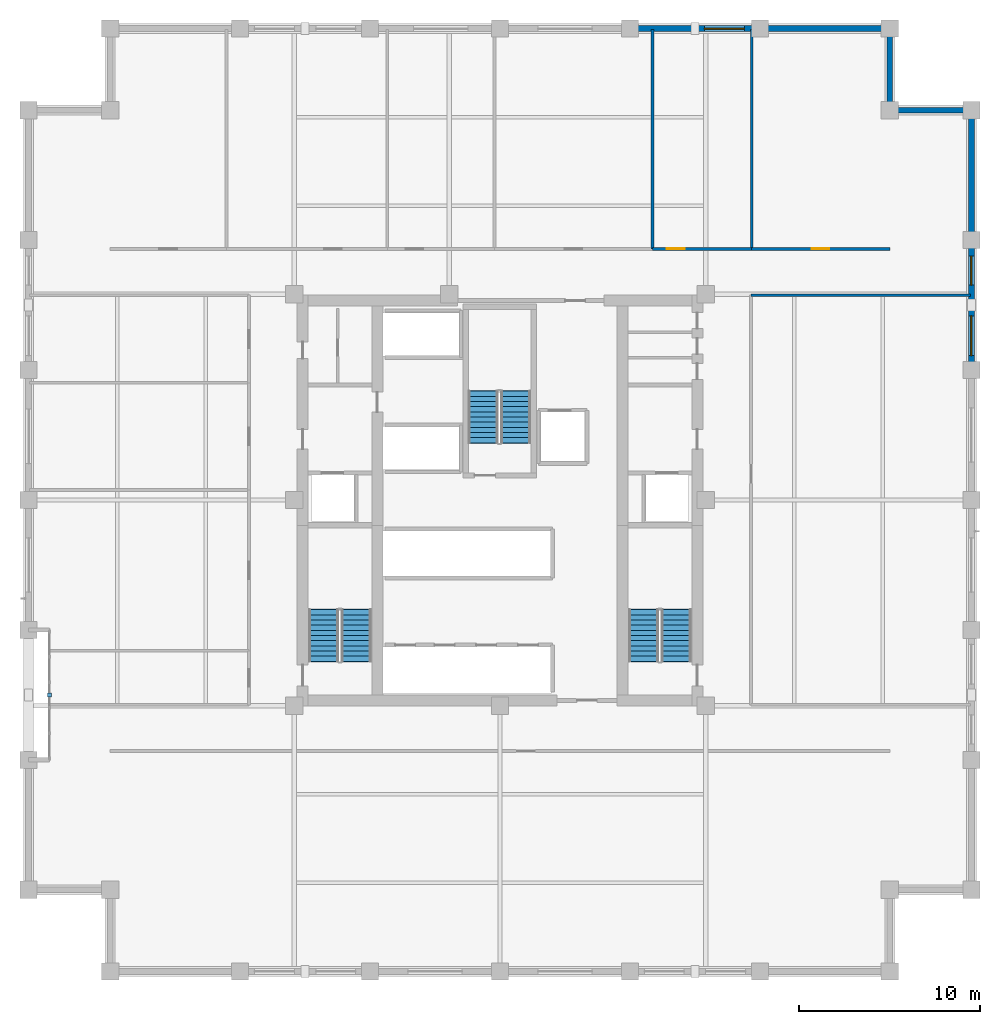
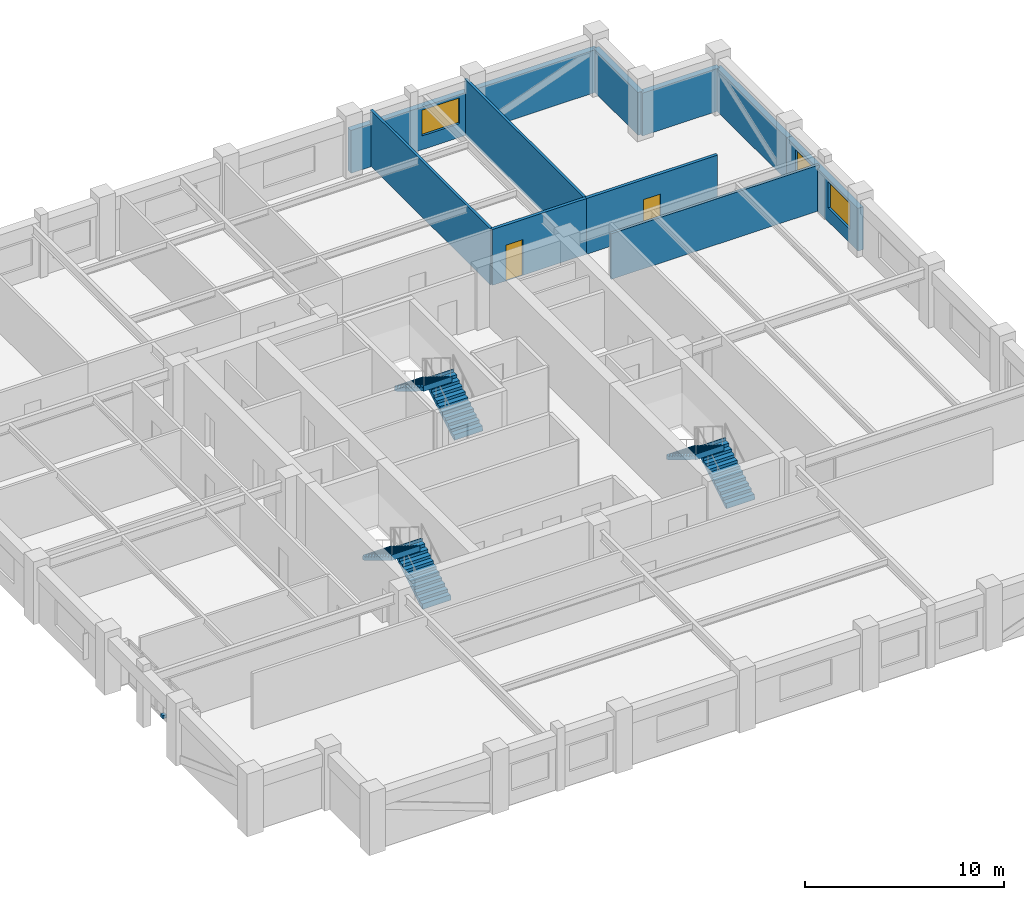
# One storey, part 12 of 14: 11 walls, 6 stair flights, 3 windows, 2 doors, 1 discrete accessory, 5 openings, 3 elements without a shape of their own.
"""IFC4 building model written with IfcOpenShell, lengths in metres."""

from ifc_helpers import new_model, si_unit, direction, frame, frame_2d, origin, origin_2d, place, context, subcontext, project, spatial, polyline, rectangle, outline, extrude, material, layer, layer_set, type_object, element, fill, aggregate, save


model = new_model("IFC4")

# Units and contexts
model_context = context("Model", 3, precision=1e-05, world=origin(), true_north=direction((0.0, 1.0)))
body_context = subcontext(model_context, "Body", "Model", "MODEL_VIEW")
ifc_project = project(units=[si_unit("LENGTHUNIT", "METRE"), si_unit("AREAUNIT", "SQUARE_METRE"), si_unit("VOLUMEUNIT", "CUBIC_METRE"), si_unit("PLANEANGLEUNIT", "RADIAN"), si_unit("MASSUNIT", "GRAM", prefix="KILO")], contexts=[model_context])

# Site, building, storey
site_placement = place(None, origin())
site = spatial("IfcSite", under=ifc_project, at=site_placement, CompositionType="ELEMENT")
building_placement = place(site_placement, origin())
building = spatial("IfcBuilding", under=site, at=building_placement, Name="Nhamokura Convention Tower", CompositionType="ELEMENT")
storey_placement = place(building_placement, frame((0.0, 0.0, 172.199951171875)))
storey = spatial("IfcBuildingStorey", under=building, at=storey_placement, Name="L42", CompositionType="ELEMENT", Elevation=172.199951171875)

# Wall, opening, window
ifc_material_1 = material(Name="Bronze-pigmented precast concrete C45/55", Category="concrete")
ifc_layer_1 = layer(ifc_material_1, 0.320068359375)
ifc_layer_set_1 = layer_set([ifc_layer_1], Name="BronzePrecastSpandrel_320")
wall_type_1 = type_object("IfcWallType", Name="BronzePrecastSpandrel_320", PredefinedType="USERDEFINED", material=ifc_layer_set_1)
wall_1_placement = place(storey_placement, frame((39.166748046875, 58.0, 0.0), z_axis=(0.0, 0.0, 1.0), x_axis=(1.0, 0.0, 0.0)))
wall_1 = element("IfcWall", 1, at=wall_1_placement, inside=storey, type_object=wall_type_1, Name="L42 Masonry-Frame Wall NORTH 4", ObjectType="SPANDREL_WALL", PredefinedType="USERDEFINED", context=body_context, shape_type="SweptSolid", body=[
    extrude(rectangle(XDim=7.16650390625, YDim=0.320068359375, at=frame_2d((3.583251953125, 0.0))), origin(), (0.0, 0.0, 1.0), 2.630126953125),
])
opening_1_placement = place(wall_1_placement, frame((4.112548828125, 0.0, 0.85009765625)))
opening_1 = element("IfcOpeningElement", 2, at=opening_1_placement, cuts=wall_1, Name="Opening W-06", PredefinedType="OPENING", context=body_context, shape_type="SweptSolid", body=[
    extrude(rectangle(XDim=2.199951171875, YDim=1.580078125, at=frame_2d((1.10009765625, 0.7900390625))), frame((0.0, 0.169921875, 0.0), z_axis=(0.0, -1.0, 0.0), x_axis=(1.0, 0.0, 0.0)), (0.0, 0.0, 1.0), 0.340087890625),
])
ifc_material_2 = material(Name="Solar-control bronze low-E double glass", Category="glass")
window_type_1 = type_object("IfcWindowType", Name="OfficeModuleWindow_Z2_2200", PartitioningType="SINGLE_PANEL", PredefinedType="WINDOW", material=ifc_material_2)
window_1_placement = place(opening_1_placement, origin())
window_1 = element("IfcWindow", 3, at=window_1_placement, inside=storey, type_object=window_type_1, Name="L42 Facade Window NORTH 4-3", OverallHeight=1.580078125, OverallWidth=2.199951171875, PartitioningType="SINGLE_PANEL", PredefinedType="WINDOW", context=body_context, shape_type="SweptSolid", body=[
    extrude(rectangle(XDim=2.199951171875, YDim=1.580078125, at=frame_2d((1.10009765625, 0.7900390625))), frame((0.0, 0.030029296875, 0.0), z_axis=(0.0, -1.0, 0.0), x_axis=(1.0, 0.0, 0.0)), (0.0, 0.0, 1.0), 0.06005859375),
])
fill(opening_1, window_1)

# Wall
wall_2_placement = place(storey_placement, frame((46.333251953125, 58.0, 0.0), z_axis=(0.0, 0.0, 1.0), x_axis=(1.0, 0.0, 0.0)))
element("IfcWall", 4, at=wall_2_placement, inside=storey, type_object=wall_type_1, Name="L42 Braced-Bay Precast Wall NORTH 5", ObjectType="SPANDREL_WALL", PredefinedType="USERDEFINED", context=body_context, shape_type="SweptSolid", body=[
    extrude(rectangle(XDim=7.166748046875, YDim=0.320068359375, at=frame_2d((3.58349609375, 0.0))), origin(), (0.0, 0.0, 1.0), 2.630126953125),
])

# Wall, openings, windows
wall_3_placement = place(storey_placement, frame((58.0, 46.333251953125, 0.0), z_axis=(0.0, 0.0, 1.0), x_axis=(0.0, -1.0, 0.0)))
wall_3 = element("IfcWall", 5, at=wall_3_placement, inside=storey, type_object=wall_type_1, Name="L42 Masonry-Frame Wall EAST 4", ObjectType="SPANDREL_WALL", PredefinedType="USERDEFINED", context=body_context, shape_type="SweptSolid", body=[
    extrude(rectangle(XDim=7.16650390625, YDim=0.320068359375, at=frame_2d((3.583251953125, 0.0))), origin(), (0.0, 0.0, 1.0), 2.630126953125),
])
opening_2_placement = place(wall_3_placement, frame((0.879150390625, 0.0, 0.85009765625)))
opening_2 = element("IfcOpeningElement", 6, at=opening_2_placement, cuts=wall_3, Name="Opening W-11", PredefinedType="OPENING", context=body_context, shape_type="SweptSolid", body=[
    extrude(rectangle(XDim=1.60009765625, YDim=1.580078125, at=frame_2d((0.800048828125, 0.7900390625))), frame((0.0, 0.169921875, 0.0), z_axis=(0.0, -1.0, 0.0), x_axis=(1.0, 0.0, 0.0)), (0.0, 0.0, 1.0), 0.340087890625),
])
opening_3_placement = place(wall_3_placement, frame((4.175048828125, 0.0, 0.85009765625)))
opening_3 = element("IfcOpeningElement", 7, at=opening_3_placement, cuts=wall_3, Name="Opening W-06", PredefinedType="OPENING", context=body_context, shape_type="SweptSolid", body=[
    extrude(rectangle(XDim=2.199951171875, YDim=1.580078125, at=frame_2d((1.10009765625, 0.7900390625))), frame((0.0, 0.169921875, 0.0), z_axis=(0.0, -1.0, 0.0), x_axis=(1.0, 0.0, 0.0)), (0.0, 0.0, 1.0), 0.340087890625),
])
ifc_material_3 = material(Name="Solar-control bronze low-E double glass", Category="glass")
window_type_2 = type_object("IfcWindowType", Name="NotchCornerWindow_1600", PartitioningType="SINGLE_PANEL", PredefinedType="WINDOW", material=ifc_material_3)
window_2_placement = place(opening_2_placement, origin())
window_2 = element("IfcWindow", 8, at=window_2_placement, inside=storey, type_object=window_type_2, Name="L42 Facade Window EAST 4-1", OverallHeight=1.580078125, OverallWidth=1.60009765625, PartitioningType="SINGLE_PANEL", PredefinedType="WINDOW", context=body_context, shape_type="SweptSolid", body=[
    extrude(rectangle(XDim=1.60009765625, YDim=1.580078125, at=frame_2d((0.800048828125, 0.7900390625))), frame((0.0, 0.030029296875, 0.0), z_axis=(0.0, -1.0, 0.0), x_axis=(1.0, 0.0, 0.0)), (0.0, 0.0, 1.0), 0.06005859375),
])
fill(opening_2, window_2)
window_3_placement = place(opening_3_placement, origin())
window_3 = element("IfcWindow", 9, at=window_3_placement, inside=storey, type_object=window_type_1, Name="L42 Facade Window EAST 4-2", OverallHeight=1.580078125, OverallWidth=2.199951171875, PartitioningType="SINGLE_PANEL", PredefinedType="WINDOW", context=body_context, shape_type="SweptSolid", body=[
    extrude(rectangle(XDim=2.199951171875, YDim=1.580078125, at=frame_2d((1.10009765625, 0.7900390625))), frame((0.0, 0.030029296875, 0.0), z_axis=(0.0, -1.0, 0.0), x_axis=(1.0, 0.0, 0.0)), (0.0, 0.0, 1.0), 0.06005859375),
])
fill(opening_3, window_3)

# Walls
wall_4_placement = place(storey_placement, frame((58.0, 53.5, 0.0), z_axis=(0.0, 0.0, 1.0), x_axis=(0.0, -1.0, 0.0)))
element("IfcWall", 10, at=wall_4_placement, inside=storey, type_object=wall_type_1, Name="L42 Braced-Bay Precast Wall EAST 5", ObjectType="SPANDREL_WALL", PredefinedType="USERDEFINED", context=body_context, shape_type="SweptSolid", body=[
    extrude(rectangle(XDim=7.166748046875, YDim=0.320068359375, at=frame_2d((3.58349609375, 0.0))), origin(), (0.0, 0.0, 1.0), 2.630126953125),
])
for number, where, z_axis, x_axis, name in (
    (11, (53.5, 53.5, 0.0), (0.0, 0.0, 1.0), (1.0, 0.0, 0.0), "L42 Notched Corner Wall NE1"),
    (12, (53.5, 58.0, 0.0), (0.0, 0.0, 1.0), (0.0, -1.0, 0.0), "L42 Notched Corner Wall NE2"),
):
    element("IfcWall", number, at=place(storey_placement, frame(where, z_axis=z_axis, x_axis=x_axis)), inside=storey, type_object=wall_type_1, Name=name, ObjectType="SPANDREL_WALL", PredefinedType="USERDEFINED", context=body_context, shape_type="SweptSolid", body=[
        extrude(rectangle(XDim=4.5, YDim=0.320068359375, at=frame_2d((2.25, 0.0))), origin(), (0.0, 0.0, 1.0), 2.630126953125),
    ])

# Wall, opening, door
ifc_material_4 = material(Name="Fire-rated gypsum and masonry partition", Category="masonry")
ifc_layer_2 = layer(ifc_material_4, 0.179931640625)
ifc_layer_set_2 = layer_set([ifc_layer_2], Name="CorridorRatedWall_180")
wall_type_2 = type_object("IfcWallType", Name="CorridorRatedWall_180", PredefinedType="STANDARD", material=ifc_layer_set_2)
wall_5_placement = place(storey_placement, frame((40.416748046875, 45.85009765625, 0.0), z_axis=(0.0, 0.0, 1.0), x_axis=(1.0, 0.0, 0.0)))
wall_5 = element("IfcWall", 13, at=wall_5_placement, inside=storey, type_object=wall_type_2, Name="L42 Wall INT-L42-CW-N04", PredefinedType="STANDARD", context=body_context, shape_type="SweptSolid", body=[
    extrude(rectangle(XDim=5.466552734375, YDim=0.179931640625, at=frame_2d((2.7333984375, 0.0))), origin(), (0.0, 0.0, 1.0), 3.429931640625),
])
opening_4_placement = place(wall_5_placement, frame((0.783203125, 0.0, 0.0)))
opening_4 = element("IfcOpeningElement", 14, at=opening_4_placement, cuts=wall_5, Name="Opening D-08", PredefinedType="OPENING", context=body_context, shape_type="SweptSolid", body=[
    extrude(rectangle(XDim=0.97998046875, YDim=2.199951171875, at=frame_2d((0.489990234375, 1.10009765625))), frame((0.0, 0.099853515625, 0.0), z_axis=(0.0, -1.0, 0.0), x_axis=(1.0, 0.0, 0.0)), (0.0, 0.0, 1.0), 0.199951171875),
])
ifc_material_5 = material(Name="Solid oak hardwood", Category="wood")
door_type = type_object("IfcDoorType", Name="OfficeEntryDoor_980", OperationType="NOTDEFINED", PredefinedType="DOOR", material=ifc_material_5)
door_1_placement = place(opening_4_placement, origin())
door_1 = element("IfcDoor", 15, at=door_1_placement, inside=storey, type_object=door_type, Name="L42 Meeting Room N05 Door", OperationType="SINGLE_SWING_LEFT", OverallHeight=2.199951171875, OverallWidth=0.97998046875, PredefinedType="DOOR", context=body_context, shape_type="SweptSolid", body=[
    extrude(rectangle(XDim=0.97998046875, YDim=2.199951171875, at=frame_2d((0.489990234375, 1.10009765625))), frame((0.0, 0.02490234375, 0.0), z_axis=(0.0, -1.0, 0.0), x_axis=(1.0, 0.0, 0.0)), (0.0, 0.0, 1.0), 0.050048828125),
])
fill(opening_4, door_1)

wall_6_placement = place(storey_placement, frame((45.88330078125, 45.85009765625, 0.0), z_axis=(0.0, 0.0, 1.0), x_axis=(1.0, 0.0, 0.0)))
wall_6 = element("IfcWall", 16, at=wall_6_placement, inside=storey, type_object=wall_type_2, Name="L42 Wall INT-L42-CW-N05", PredefinedType="STANDARD", context=body_context, shape_type="SweptSolid", body=[
    extrude(rectangle(XDim=7.61669921875, YDim=0.179931640625, at=frame_2d((3.808349609375, 0.0))), origin(), (0.0, 0.0, 1.0), 3.429931640625),
])
opening_5_placement = place(wall_6_placement, frame((3.308349609375, 0.0, 0.0)))
opening_5 = element("IfcOpeningElement", 17, at=opening_5_placement, cuts=wall_6, Name="Opening D-08", PredefinedType="OPENING", context=body_context, shape_type="SweptSolid", body=[
    extrude(rectangle(XDim=0.97998046875, YDim=2.199951171875, at=frame_2d((0.489990234375, 1.10009765625))), frame((0.0, 0.099853515625, 0.0), z_axis=(0.0, -1.0, 0.0), x_axis=(1.0, 0.0, 0.0)), (0.0, 0.0, 1.0), 0.199951171875),
])
door_2_placement = place(opening_5_placement, origin())
door_2 = element("IfcDoor", 18, at=door_2_placement, inside=storey, type_object=door_type, Name="L42 Meeting Room N06 Door", OperationType="SINGLE_SWING_RIGHT", OverallHeight=2.199951171875, OverallWidth=0.97998046875, PredefinedType="DOOR", context=body_context, shape_type="SweptSolid", body=[
    extrude(rectangle(XDim=0.97998046875, YDim=2.199951171875, at=frame_2d((0.489990234375, 1.10009765625))), frame((0.0, 0.02490234375, 0.0), z_axis=(0.0, -1.0, 0.0), x_axis=(1.0, 0.0, 0.0)), (0.0, 0.0, 1.0), 0.050048828125),
])
fill(opening_5, door_2)

# Walls
ifc_material_6 = material(Name="Acoustic gypsum stud partition", Category="masonry")
ifc_layer_3 = layer(ifc_material_6, 0.14990234375)
ifc_layer_set_3 = layer_set([ifc_layer_3], Name="InteriorPartition_150")
wall_type_3 = type_object("IfcWallType", Name="InteriorPartition_150", PredefinedType="STANDARD", material=ifc_layer_set_3)
for number, where, z_axis, x_axis, name in (
    (19, (40.416748046875, 45.85009765625, 0.0), (0.0, 0.0, 1.0), (0.0, 1.0, 0.0), "L42 Wall INT-L42-RW-N04"),
    (20, (45.88330078125, 45.85009765625, 0.0), (0.0, 0.0, 1.0), (0.0, 1.0, 0.0), "L42 Wall INT-L42-RW-N05"),
):
    element("IfcWall", number, at=place(storey_placement, frame(where, z_axis=z_axis, x_axis=x_axis)), inside=storey, type_object=wall_type_3, Name=name, PredefinedType="STANDARD", context=body_context, shape_type="SweptSolid", body=[
        extrude(rectangle(XDim=12.08984375, YDim=0.14990234375, at=frame_2d((6.044921875, 0.0))), origin(), (0.0, 0.0, 1.0), 3.429931640625),
    ])
wall_7_placement = place(storey_placement, frame((45.85009765625, 43.300048828125, 0.0), z_axis=(0.0, 0.0, 1.0), x_axis=(1.0, 0.0, 0.0)))
element("IfcWall", 21, at=wall_7_placement, inside=storey, type_object=wall_type_3, Name="L42 Wall INT-L42-RWT-E", PredefinedType="STANDARD", context=body_context, shape_type="SweptSolid", body=[
    extrude(rectangle(XDim=12.08984375, YDim=0.14990234375, at=frame_2d((6.044921875, 0.0))), origin(), (0.0, 0.0, 1.0), 2.81005859375),
])

# Stair, stair flights
ifc_material_7 = material(Name="Concrete C40/50", Category="concrete")
stair_type = type_object("IfcStairType", Name="TowerCoreStair_1650", PredefinedType="HALF_TURN_STAIR", material=ifc_material_7)
stair_1_placement = place(storey_placement, origin())
stair_1 = element("IfcStair", 22, at=stair_1_placement, inside=storey, type_object=stair_type, Name="L42 West Core Smokeproof Stair ST-01", PredefinedType="HALF_TURN_STAIR")
ifc_material_8 = material(Name="Concrete C40/50", Category="concrete")
stair_flight_type = type_object("IfcStairFlightType", Name="TowerCoreStair_1650_Flight", PredefinedType="STRAIGHT", material=ifc_material_8)
stair_flight_1_placement = place(storey_placement, frame((24.074951171875, 23.10009765625, 0.0), z_axis=(0.0, 0.0, 1.0), x_axis=(0.0, 1.0, 0.0)))
stair_flight_1 = element("IfcStairFlight", 23, at=stair_flight_1_placement, type_object=stair_flight_type, Name="ST-01 flight 1", NumberOfRisers=11, NumberOfTreads=10, PredefinedType="STRAIGHT", RiserHeight=0.175, TreadLength=0.285, context=body_context, shape_type="SweptSolid", body=[
    extrude(outline(polyline([(-0.0419921875, 0.0), (0.0, 0.175048828125), (0.284912109375, 0.175048828125), (0.284912109375, 0.35009765625), (0.570068359375, 0.35009765625), (0.570068359375, 0.52490234375), (0.85498046875, 0.52490234375), (0.85498046875, 0.699951171875), (1.139892578125, 0.699951171875), (1.139892578125, 0.875), (1.425048828125, 0.875), (1.425048828125, 1.050048828125), (1.7099609375, 1.050048828125), (1.7099609375, 1.22509765625), (1.9951171875, 1.22509765625), (1.9951171875, 1.39990234375), (2.280029296875, 1.39990234375), (2.280029296875, 1.574951171875), (2.56494140625, 1.574951171875), (2.56494140625, 1.75), (2.85009765625, 1.75), (2.85009765625, 1.925048828125), (2.89208984375, 1.925048828125), (2.89208984375, 1.573974609375), (2.85009765625, 1.573974609375), (0.286376953125, 0.0), (0.02001953125, -0.1298828125), (-0.0419921875, -0.1298828125), (-0.0419921875, 0.0)])), frame((0.0, 0.824951171875, 0.0), z_axis=(0.0, -1.0, 0.0), x_axis=(1.0, 0.0, 0.0)), (0.0, 0.0, 1.0), 1.64990234375),
])
stair_flight_2_placement = place(storey_placement, frame((22.27490234375, 25.949951171875, 1.925048828125), z_axis=(0.0, 0.0, 1.0), x_axis=(0.0, -1.0, 0.0)))
stair_flight_2 = element("IfcStairFlight", 24, at=stair_flight_2_placement, type_object=stair_flight_type, Name="ST-01 flight 2", NumberOfRisers=11, NumberOfTreads=10, PredefinedType="STRAIGHT", RiserHeight=0.175, TreadLength=0.285, context=body_context, shape_type="SweptSolid", body=[
    extrude(outline(polyline([(-0.0419921875, 0.0), (0.0, 0.175048828125), (0.284912109375, 0.175048828125), (0.284912109375, 0.35009765625), (0.570068359375, 0.35009765625), (0.570068359375, 0.52490234375), (0.85498046875, 0.52490234375), (0.85498046875, 0.699951171875), (1.139892578125, 0.699951171875), (1.139892578125, 0.875), (1.425048828125, 0.875), (1.425048828125, 1.050048828125), (1.7099609375, 1.050048828125), (1.7099609375, 1.22509765625), (1.9951171875, 1.22509765625), (1.9951171875, 1.39990234375), (2.280029296875, 1.39990234375), (2.280029296875, 1.574951171875), (2.56494140625, 1.574951171875), (2.56494140625, 1.75), (2.85009765625, 1.75), (2.85009765625, 1.925048828125), (2.89208984375, 1.925048828125), (2.89208984375, 1.573974609375), (2.85009765625, 1.573974609375), (0.286376953125, 0.0), (0.02001953125, -0.1298828125), (-0.0419921875, -0.1298828125), (-0.0419921875, 0.0)])), frame((0.0, 0.824951171875, 0.0), z_axis=(0.0, -1.0, 0.0), x_axis=(1.0, 0.0, 0.0)), (0.0, 0.0, 1.0), 1.64990234375),
])
aggregate(stair_1, [stair_flight_1, stair_flight_2])

stair_2_placement = place(storey_placement, origin())
stair_2 = element("IfcStair", 25, at=stair_2_placement, inside=storey, type_object=stair_type, Name="L42 East Core Smokeproof Stair ST-02", PredefinedType="HALF_TURN_STAIR")
stair_flight_3_placement = place(storey_placement, frame((41.72509765625, 23.10009765625, 0.0), z_axis=(0.0, 0.0, 1.0), x_axis=(0.0, 1.0, 0.0)))
stair_flight_3 = element("IfcStairFlight", 26, at=stair_flight_3_placement, type_object=stair_flight_type, Name="ST-02 flight 1", NumberOfRisers=11, NumberOfTreads=10, PredefinedType="STRAIGHT", RiserHeight=0.175, TreadLength=0.285, context=body_context, shape_type="SweptSolid", body=[
    extrude(outline(polyline([(-0.0419921875, 0.0), (0.0, 0.175048828125), (0.284912109375, 0.175048828125), (0.284912109375, 0.35009765625), (0.570068359375, 0.35009765625), (0.570068359375, 0.52490234375), (0.85498046875, 0.52490234375), (0.85498046875, 0.699951171875), (1.139892578125, 0.699951171875), (1.139892578125, 0.875), (1.425048828125, 0.875), (1.425048828125, 1.050048828125), (1.7099609375, 1.050048828125), (1.7099609375, 1.22509765625), (1.9951171875, 1.22509765625), (1.9951171875, 1.39990234375), (2.280029296875, 1.39990234375), (2.280029296875, 1.574951171875), (2.56494140625, 1.574951171875), (2.56494140625, 1.75), (2.85009765625, 1.75), (2.85009765625, 1.925048828125), (2.89208984375, 1.925048828125), (2.89208984375, 1.573974609375), (2.85009765625, 1.573974609375), (0.286376953125, 0.0), (0.02001953125, -0.1298828125), (-0.0419921875, -0.1298828125), (-0.0419921875, 0.0)])), frame((0.0, 0.824951171875, 0.0), z_axis=(0.0, -1.0, 0.0), x_axis=(1.0, 0.0, 0.0)), (0.0, 0.0, 1.0), 1.64990234375),
])
stair_flight_4_placement = place(storey_placement, frame((39.925048828125, 25.949951171875, 1.925048828125), z_axis=(0.0, 0.0, 1.0), x_axis=(0.0, -1.0, 0.0)))
stair_flight_4 = element("IfcStairFlight", 27, at=stair_flight_4_placement, type_object=stair_flight_type, Name="ST-02 flight 2", NumberOfRisers=11, NumberOfTreads=10, PredefinedType="STRAIGHT", RiserHeight=0.175, TreadLength=0.285, context=body_context, shape_type="SweptSolid", body=[
    extrude(outline(polyline([(-0.0419921875, 0.0), (0.0, 0.175048828125), (0.284912109375, 0.175048828125), (0.284912109375, 0.35009765625), (0.570068359375, 0.35009765625), (0.570068359375, 0.52490234375), (0.85498046875, 0.52490234375), (0.85498046875, 0.699951171875), (1.139892578125, 0.699951171875), (1.139892578125, 0.875), (1.425048828125, 0.875), (1.425048828125, 1.050048828125), (1.7099609375, 1.050048828125), (1.7099609375, 1.22509765625), (1.9951171875, 1.22509765625), (1.9951171875, 1.39990234375), (2.280029296875, 1.39990234375), (2.280029296875, 1.574951171875), (2.56494140625, 1.574951171875), (2.56494140625, 1.75), (2.85009765625, 1.75), (2.85009765625, 1.925048828125), (2.89208984375, 1.925048828125), (2.89208984375, 1.573974609375), (2.85009765625, 1.573974609375), (0.286376953125, 0.0), (0.02001953125, -0.1298828125), (-0.0419921875, -0.1298828125), (-0.0419921875, 0.0)])), frame((0.0, 0.824951171875, 0.0), z_axis=(0.0, -1.0, 0.0), x_axis=(1.0, 0.0, 0.0)), (0.0, 0.0, 1.0), 1.64990234375),
])
aggregate(stair_2, [stair_flight_3, stair_flight_4])

stair_3_placement = place(storey_placement, origin())
stair_3 = element("IfcStair", 28, at=stair_3_placement, inside=storey, type_object=stair_type, Name="L42 North Core Smokeproof Stair ST-03", PredefinedType="HALF_TURN_STAIR")
stair_flight_5_placement = place(storey_placement, frame((32.875, 35.14990234375, 0.0), z_axis=(0.0, 0.0, 1.0), x_axis=(0.0, 1.0, 0.0)))
stair_flight_5 = element("IfcStairFlight", 29, at=stair_flight_5_placement, type_object=stair_flight_type, Name="ST-03 flight 1", NumberOfRisers=11, NumberOfTreads=10, PredefinedType="STRAIGHT", RiserHeight=0.175, TreadLength=0.285, context=body_context, shape_type="SweptSolid", body=[
    extrude(outline(polyline([(-0.0419921875, 0.0), (0.0, 0.175048828125), (0.284912109375, 0.175048828125), (0.284912109375, 0.35009765625), (0.570068359375, 0.35009765625), (0.570068359375, 0.52490234375), (0.85498046875, 0.52490234375), (0.85498046875, 0.699951171875), (1.139892578125, 0.699951171875), (1.139892578125, 0.875), (1.425048828125, 0.875), (1.425048828125, 1.050048828125), (1.7099609375, 1.050048828125), (1.7099609375, 1.22509765625), (1.9951171875, 1.22509765625), (1.9951171875, 1.39990234375), (2.280029296875, 1.39990234375), (2.280029296875, 1.574951171875), (2.56494140625, 1.574951171875), (2.56494140625, 1.75), (2.85009765625, 1.75), (2.85009765625, 1.925048828125), (2.89208984375, 1.925048828125), (2.89208984375, 1.573974609375), (2.85009765625, 1.573974609375), (0.286376953125, 0.0), (0.02001953125, -0.1298828125), (-0.0419921875, -0.1298828125), (-0.0419921875, 0.0)])), frame((0.0, 0.824951171875, 0.0), z_axis=(0.0, -1.0, 0.0), x_axis=(1.0, 0.0, 0.0)), (0.0, 0.0, 1.0), 1.64990234375),
])
stair_flight_6_placement = place(storey_placement, frame((31.074951171875, 38.0, 1.925048828125), z_axis=(0.0, 0.0, 1.0), x_axis=(0.0, -1.0, 0.0)))
stair_flight_6 = element("IfcStairFlight", 30, at=stair_flight_6_placement, type_object=stair_flight_type, Name="ST-03 flight 2", NumberOfRisers=11, NumberOfTreads=10, PredefinedType="STRAIGHT", RiserHeight=0.175, TreadLength=0.285, context=body_context, shape_type="SweptSolid", body=[
    extrude(outline(polyline([(-0.0419921875, 0.0), (0.0, 0.175048828125), (0.284912109375, 0.175048828125), (0.284912109375, 0.35009765625), (0.570068359375, 0.35009765625), (0.570068359375, 0.52490234375), (0.85498046875, 0.52490234375), (0.85498046875, 0.699951171875), (1.139892578125, 0.699951171875), (1.139892578125, 0.875), (1.425048828125, 0.875), (1.425048828125, 1.050048828125), (1.7099609375, 1.050048828125), (1.7099609375, 1.22509765625), (1.9951171875, 1.22509765625), (1.9951171875, 1.39990234375), (2.280029296875, 1.39990234375), (2.280029296875, 1.574951171875), (2.56494140625, 1.574951171875), (2.56494140625, 1.75), (2.85009765625, 1.75), (2.85009765625, 1.925048828125), (2.89208984375, 1.925048828125), (2.89208984375, 1.573974609375), (2.85009765625, 1.573974609375), (0.286376953125, 0.0), (0.02001953125, -0.1298828125), (-0.0419921875, -0.1298828125), (-0.0419921875, 0.0)])), frame((0.0, 0.824951171875, 0.0), z_axis=(0.0, -1.0, 0.0), x_axis=(1.0, 0.0, 0.0)), (0.0, 0.0, 1.0), 1.64990234375),
])
aggregate(stair_3, [stair_flight_5, stair_flight_6])

# Discrete accessory
ifc_material_9 = material(Name="Steel ASTM A572 Gr 50", Category="steel")
discrete_accessory_type = type_object("IfcDiscreteAccessoryType", Name="FacadeOutstandBracket", PredefinedType="BRACKET", material=ifc_material_9)
discrete_accessory_placement = place(storey_placement, frame((7.14990234375, 21.25, -0.02001953125), z_axis=(0.0, 0.0, 1.0), x_axis=(1.0, 0.0, 0.0)))
element("IfcDiscreteAccessory", 31, at=discrete_accessory_placement, inside=storey, type_object=discrete_accessory_type, Name="L42 Scale Slot Base Shoe Bracket WEST 1", PredefinedType="BRACKET", context=body_context, shape_type="SweptSolid", body=[
    extrude(rectangle(XDim=0.219970703125, YDim=0.219970703125, at=origin_2d()), origin(), (0.0, 0.0, 1.0), 0.199951171875),
])

save(model, "model.ifc")
